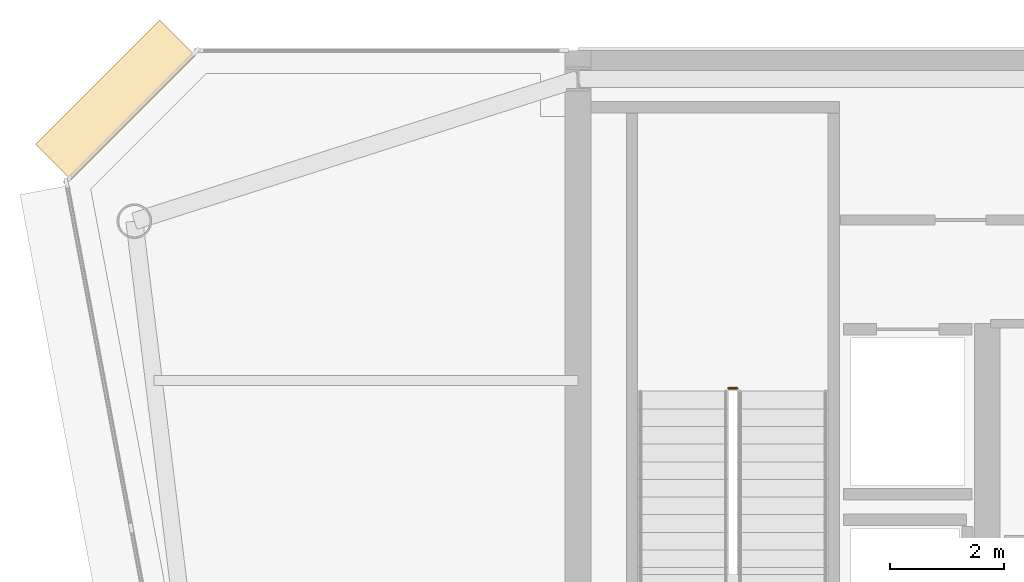
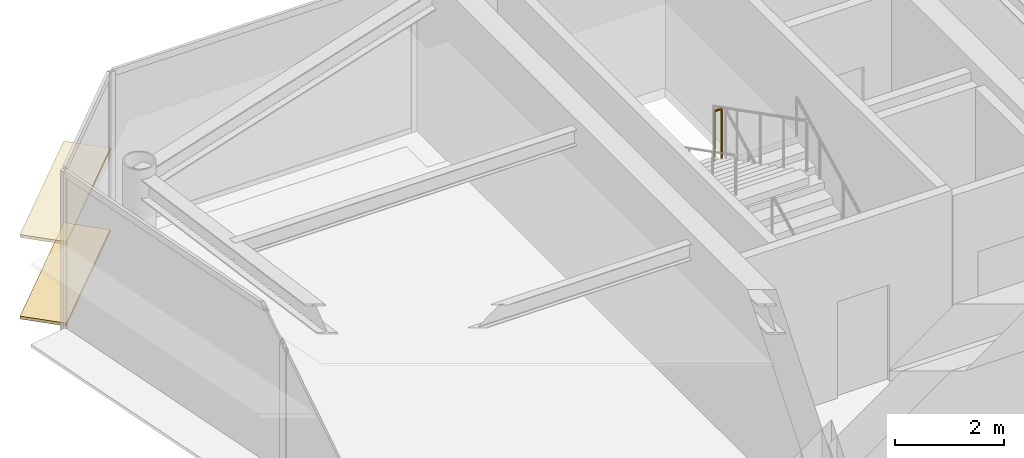
# One storey, part 18 of 20: 2 coverings, 1 railing.
"""IFC4 building model written with IfcOpenShell, lengths in metres."""

from ifc_helpers import new_model, si_unit, direction, frame, origin, origin_2d, place, context, subcontext, project, spatial, rectangle, circle, extrude, source, transform, mapped, material, layer, layer_set, type_object, element, save


model = new_model("IFC4")

# Units and contexts
model_context = context("Model", 3, precision=1e-05, world=origin(), true_north=direction((0.0, 1.0)))
body_context = subcontext(model_context, "Body", "Model", "MODEL_VIEW")
ifc_project = project(units=[si_unit("LENGTHUNIT", "METRE"), si_unit("AREAUNIT", "SQUARE_METRE"), si_unit("VOLUMEUNIT", "CUBIC_METRE"), si_unit("PLANEANGLEUNIT", "RADIAN"), si_unit("MASSUNIT", "GRAM", prefix="KILO")], contexts=[model_context])

# Site, building, storey
site_placement = place(None, origin())
site = spatial("IfcSite", under=ifc_project, at=site_placement, CompositionType="ELEMENT")
building_placement = place(site_placement, origin())
building = spatial("IfcBuilding", under=site, at=building_placement, Name="Vaeldorn Concourse Tower", CompositionType="ELEMENT")
storey_placement = place(building_placement, frame((0.0, 0.0, 280.199951171875)))
storey = spatial("IfcBuildingStorey", under=building, at=storey_placement, Name="L72", CompositionType="ELEMENT", Elevation=280.199951171875)

# Railing
ifc_material = material(Name="Anodised Bronze Aluminium", Category="aluminium")
railing_type = type_object("IfcRailingType", Name="RL-STAIR-GUARD", PredefinedType="GUARDRAIL", material=ifc_material)
railing_placement = place(storey_placement, frame((16.800048828125, 45.06005859375, 1.900146484375)))
element("IfcRailing", 1, at=railing_placement, inside=storey, type_object=railing_type, Name="L72 ST-1 stair guard 2", PredefinedType="GUARDRAIL", context=body_context, shape_type="SweptSolid", body=[
    extrude(circle(Radius=0.02392578125, at=origin_2d()), frame((0.0, 0.0, 1.1259765625), z_axis=(-1.0, 0.0, 0.0), x_axis=(0.0, -1.0, 0.0)), (0.0, 0.0, 1.0), 0.150146484375),
    extrude(circle(Radius=0.02099609375, at=origin_2d()), origin(), (0.0, 0.0, 1.0), 1.101806640625),
    extrude(circle(Radius=0.02099609375, at=origin_2d()), frame((-0.150146484375, 0.0, 0.0)), (0.0, 0.0, 1.0), 1.101806640625),
])

# Coverings
ifc_layer = layer(ifc_material, 0.06494140625)
ifc_layer_set = layer_set([ifc_layer], Name="Anodised Bronze Aluminium")
covering_type = type_object("IfcCoveringType", Name="SD-BRONZE-SUNSHADE", PredefinedType="USERDEFINED", material=ifc_layer_set)
shared_shape = source(origin(), body_context, "Body", "SweptSolid", [
    extrude(rectangle(XDim=3.0927734375, YDim=0.8798828125, at=origin_2d()), origin(), (0.0, 0.0, 1.0), 0.06494140625),
])
for number, where, z_axis, x_axis, name in (
    (2, (5.8671875, 50.1328125, 0.047607421875), (0.0, 0.0, 1.0), (-0.707106781187, -0.707106781187, 0.0), "Horizontal Bronze Sunshade L72-E10.1.1"),
    (3, (5.8671875, 50.1328125, 1.86767578125), (0.0, 0.0, 1.0), (-0.707106781187, -0.707106781187, 0.0), "Horizontal Bronze Sunshade L72-E10.1.2"),
):
    element("IfcCovering", number, at=place(storey_placement, frame(where, z_axis=z_axis, x_axis=x_axis)), inside=storey, type_object=covering_type, Name=name, ObjectType="SUNSHADE", PredefinedType="USERDEFINED", context=body_context, shape_type="MappedRepresentation", body=[
        mapped(shared_shape, transform((0.0, 0.0, 0.0), scale=1.0)),
    ])

save(model, "model.ifc")
